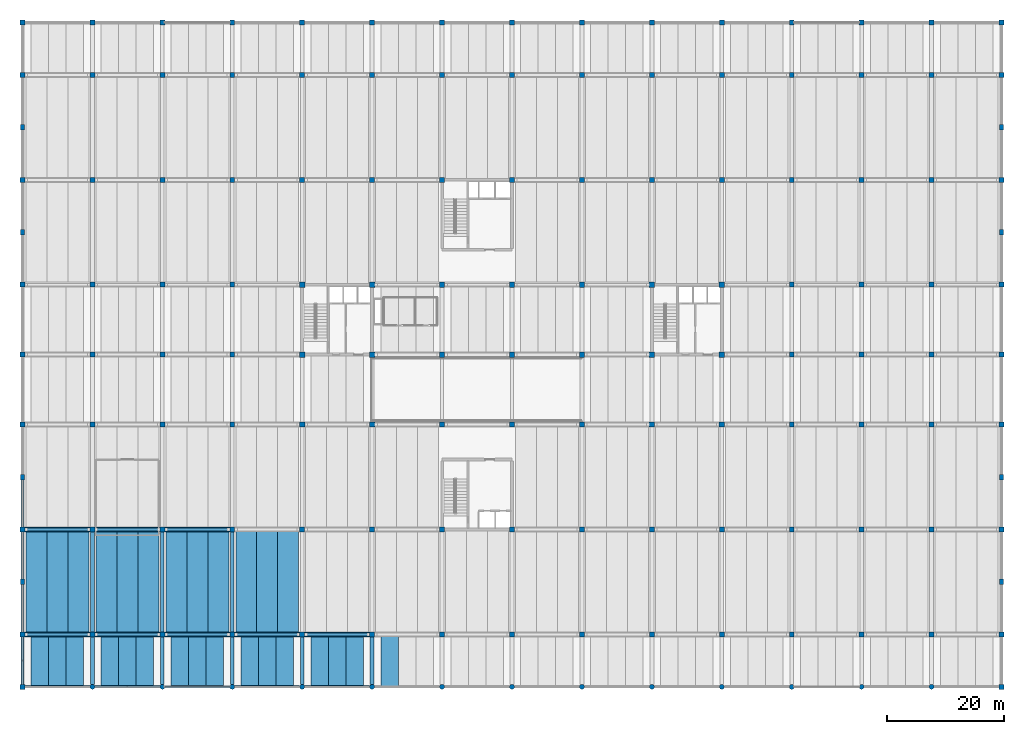
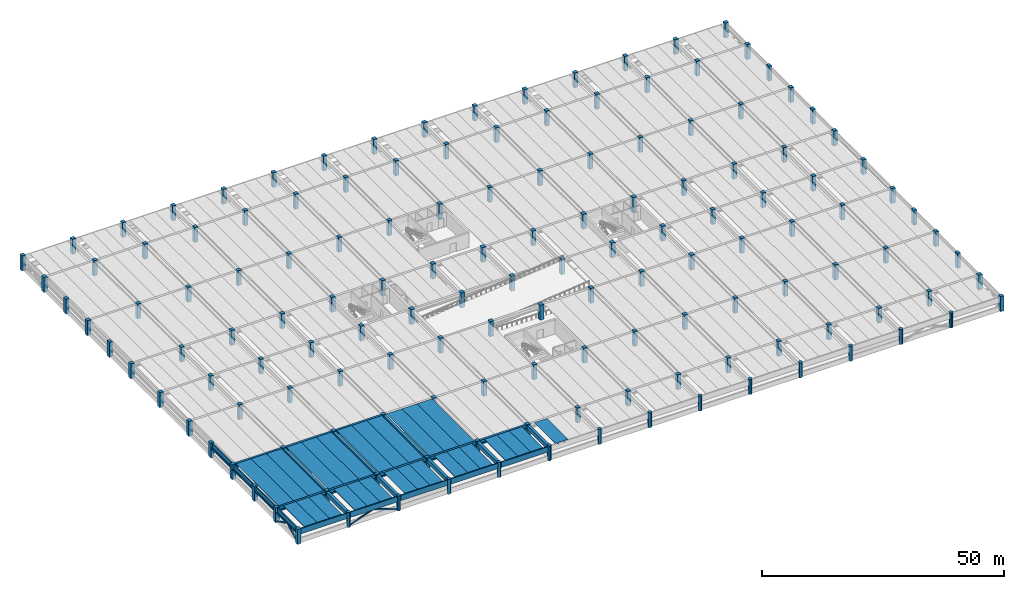
# One storey, part 1 of 19: 143 columns, 53 beams, 4 members.
"""IFC4 building model written with IfcOpenShell, lengths in metres."""

from ifc_helpers import new_model, si_unit, direction, frame, origin, origin_2d, place, context, subcontext, project, spatial, polyline, rectangle, hollow_rectangle, circle, outline, extrude, material, material_profile, profile_set, type_object, element, save


model = new_model("IFC4")

# Units and contexts
model_context = context("Model", 3, precision=1e-05, world=origin(), true_north=direction((0.0, 1.0)))
body_context = subcontext(model_context, "Body", "Model", "MODEL_VIEW")
ifc_project = project(units=[si_unit("LENGTHUNIT", "METRE"), si_unit("AREAUNIT", "SQUARE_METRE"), si_unit("VOLUMEUNIT", "CUBIC_METRE"), si_unit("PLANEANGLEUNIT", "RADIAN"), si_unit("MASSUNIT", "GRAM", prefix="KILO")], contexts=[model_context])

# Site, building, storey
site_placement = place(None, origin())
site = spatial("IfcSite", under=ifc_project, at=site_placement, CompositionType="ELEMENT")
building_placement = place(site_placement, origin())
building = spatial("IfcBuilding", under=site, at=building_placement, Name="Girod Span Mobility Hub", CompositionType="ELEMENT")
storey_placement = place(building_placement, frame((0.0, 0.0, 13.39990234375)))
storey = spatial("IfcBuildingStorey", under=building, at=storey_placement, Name="L03", CompositionType="ELEMENT", Elevation=13.39990234375)

# Columns
ifc_material_1 = material(Name="Concrete C40/50", Category="concrete")
ifc_material_profile_1 = material_profile(ifc_material_1, rectangle(XDim=0.85009765625, YDim=0.85009765625, at=origin_2d()), Name="PC-COL-850X850")
ifc_profile_set_1 = profile_set([ifc_material_profile_1], Name="Concrete C40/50")
column_type_1 = type_object("IfcColumnType", Name="COL-PC-850X850", PredefinedType="COLUMN", material=ifc_profile_set_1)
for number, where, z_axis, x_axis, name in (
    (1, (0.0, 0.0, 0.0), (0.0, 0.0, 1.0), (1.0, 0.0, 0.0), "Column 1A L03"),
    (2, (0.0, 9.0, 0.0), (0.0, 0.0, 1.0), (1.0, 0.0, 0.0), "Column 1B L03"),
    (3, (0.0, 27.0, 0.0), (0.0, 0.0, 1.0), (1.0, 0.0, 0.0), "Column 1C L03"),
    (4, (0.0, 45.0, 0.0), (0.0, 0.0, 1.0), (1.0, 0.0, 0.0), "Column 1D L03"),
    (5, (0.0, 57.0, 0.0), (0.0, 0.0, 1.0), (1.0, 0.0, 0.0), "Column 1E L03"),
    (6, (0.0, 69.0, 0.0), (0.0, 0.0, 1.0), (1.0, 0.0, 0.0), "Column 1F L03"),
    (7, (0.0, 87.0, 0.0), (0.0, 0.0, 1.0), (1.0, 0.0, 0.0), "Column 1G L03"),
    (8, (0.0, 105.0, 0.0), (0.0, 0.0, 1.0), (1.0, 0.0, 0.0), "Column 1H L03"),
    (9, (0.0, 114.0, 0.0), (0.0, 0.0, 1.0), (1.0, 0.0, 0.0), "Column 1J L03"),
    (10, (12.0, 9.0, 0.0), (0.0, 0.0, 1.0), (1.0, 0.0, 0.0), "Column 2B L03"),
    (11, (12.0, 27.0, 0.0), (0.0, 0.0, 1.0), (1.0, 0.0, 0.0), "Column 2C L03"),
    (12, (12.0, 45.0, 0.0), (0.0, 0.0, 1.0), (1.0, 0.0, 0.0), "Column 2D L03"),
    (13, (12.0, 57.0, 0.0), (0.0, 0.0, 1.0), (1.0, 0.0, 0.0), "Column 2E L03"),
    (14, (12.0, 69.0, 0.0), (0.0, 0.0, 1.0), (1.0, 0.0, 0.0), "Column 2F L03"),
    (15, (12.0, 87.0, 0.0), (0.0, 0.0, 1.0), (1.0, 0.0, 0.0), "Column 2G L03"),
    (16, (12.0, 105.0, 0.0), (0.0, 0.0, 1.0), (1.0, 0.0, 0.0), "Column 2H L03"),
    (17, (12.0, 114.0, 0.0), (0.0, 0.0, 1.0), (1.0, 0.0, 0.0), "Column 2J L03"),
    (18, (24.0, 9.0, 0.0), (0.0, 0.0, 1.0), (1.0, 0.0, 0.0), "Column 3B L03"),
    (19, (24.0, 27.0, 0.0), (0.0, 0.0, 1.0), (1.0, 0.0, 0.0), "Column 3C L03"),
    (20, (24.0, 45.0, 0.0), (0.0, 0.0, 1.0), (1.0, 0.0, 0.0), "Column 3D L03"),
    (21, (24.0, 57.0, 0.0), (0.0, 0.0, 1.0), (1.0, 0.0, 0.0), "Column 3E L03"),
    (22, (24.0, 69.0, 0.0), (0.0, 0.0, 1.0), (1.0, 0.0, 0.0), "Column 3F L03"),
    (23, (24.0, 87.0, 0.0), (0.0, 0.0, 1.0), (1.0, 0.0, 0.0), "Column 3G L03"),
    (24, (24.0, 105.0, 0.0), (0.0, 0.0, 1.0), (1.0, 0.0, 0.0), "Column 3H L03"),
    (25, (24.0, 114.0, 0.0), (0.0, 0.0, 1.0), (1.0, 0.0, 0.0), "Column 3J L03"),
    (26, (36.0, 9.0, 0.0), (0.0, 0.0, 1.0), (1.0, 0.0, 0.0), "Column 4B L03"),
    (27, (36.0, 27.0, 0.0), (0.0, 0.0, 1.0), (1.0, 0.0, 0.0), "Column 4C L03"),
    (28, (36.0, 45.0, 0.0), (0.0, 0.0, 1.0), (1.0, 0.0, 0.0), "Column 4D L03"),
    (29, (36.0, 57.0, 0.0), (0.0, 0.0, 1.0), (1.0, 0.0, 0.0), "Column 4E L03"),
    (30, (36.0, 69.0, 0.0), (0.0, 0.0, 1.0), (1.0, 0.0, 0.0), "Column 4F L03"),
    (31, (36.0, 87.0, 0.0), (0.0, 0.0, 1.0), (1.0, 0.0, 0.0), "Column 4G L03"),
    (32, (36.0, 105.0, 0.0), (0.0, 0.0, 1.0), (1.0, 0.0, 0.0), "Column 4H L03"),
    (33, (36.0, 114.0, 0.0), (0.0, 0.0, 1.0), (1.0, 0.0, 0.0), "Column 4J L03"),
    (34, (48.0, 9.0, 0.0), (0.0, 0.0, 1.0), (1.0, 0.0, 0.0), "Column 5B L03"),
    (35, (48.0, 27.0, 0.0), (0.0, 0.0, 1.0), (1.0, 0.0, 0.0), "Column 5C L03"),
    (36, (48.0, 87.0, 0.0), (0.0, 0.0, 1.0), (1.0, 0.0, 0.0), "Column 5G L03"),
    (37, (48.0, 105.0, 0.0), (0.0, 0.0, 1.0), (1.0, 0.0, 0.0), "Column 5H L03"),
    (38, (48.0, 114.0, 0.0), (0.0, 0.0, 1.0), (1.0, 0.0, 0.0), "Column 5J L03"),
    (39, (60.0, 9.0, 0.0), (0.0, 0.0, 1.0), (1.0, 0.0, 0.0), "Column 6B L03"),
    (40, (60.0, 27.0, 0.0), (0.0, 0.0, 1.0), (1.0, 0.0, 0.0), "Column 6C L03"),
    (41, (60.0, 87.0, 0.0), (0.0, 0.0, 1.0), (1.0, 0.0, 0.0), "Column 6G L03"),
    (42, (60.0, 105.0, 0.0), (0.0, 0.0, 1.0), (1.0, 0.0, 0.0), "Column 6H L03"),
    (43, (60.0, 114.0, 0.0), (0.0, 0.0, 1.0), (1.0, 0.0, 0.0), "Column 6J L03"),
    (44, (72.0, 9.0, 0.0), (0.0, 0.0, 1.0), (1.0, 0.0, 0.0), "Column 7B L03"),
    (45, (72.0, 27.0, 0.0), (0.0, 0.0, 1.0), (1.0, 0.0, 0.0), "Column 7C L03"),
    (46, (72.0, 87.0, 0.0), (0.0, 0.0, 1.0), (1.0, 0.0, 0.0), "Column 7G L03"),
    (47, (72.0, 105.0, 0.0), (0.0, 0.0, 1.0), (1.0, 0.0, 0.0), "Column 7H L03"),
    (48, (72.0, 114.0, 0.0), (0.0, 0.0, 1.0), (1.0, 0.0, 0.0), "Column 7J L03"),
    (49, (84.0, 9.0, 0.0), (0.0, 0.0, 1.0), (1.0, 0.0, 0.0), "Column 8B L03"),
    (50, (84.0, 27.0, 0.0), (0.0, 0.0, 1.0), (1.0, 0.0, 0.0), "Column 8C L03"),
    (51, (84.0, 87.0, 0.0), (0.0, 0.0, 1.0), (1.0, 0.0, 0.0), "Column 8G L03"),
    (52, (84.0, 105.0, 0.0), (0.0, 0.0, 1.0), (1.0, 0.0, 0.0), "Column 8H L03"),
    (53, (84.0, 114.0, 0.0), (0.0, 0.0, 1.0), (1.0, 0.0, 0.0), "Column 8J L03"),
    (54, (96.0, 9.0, 0.0), (0.0, 0.0, 1.0), (1.0, 0.0, 0.0), "Column 9B L03"),
    (55, (96.0, 27.0, 0.0), (0.0, 0.0, 1.0), (1.0, 0.0, 0.0), "Column 9C L03"),
    (56, (96.0, 87.0, 0.0), (0.0, 0.0, 1.0), (1.0, 0.0, 0.0), "Column 9G L03"),
    (57, (96.0, 105.0, 0.0), (0.0, 0.0, 1.0), (1.0, 0.0, 0.0), "Column 9H L03"),
    (58, (96.0, 114.0, 0.0), (0.0, 0.0, 1.0), (1.0, 0.0, 0.0), "Column 9J L03"),
    (59, (108.0, 9.0, 0.0), (0.0, 0.0, 1.0), (1.0, 0.0, 0.0), "Column 10B L03"),
    (60, (108.0, 27.0, 0.0), (0.0, 0.0, 1.0), (1.0, 0.0, 0.0), "Column 10C L03"),
    (61, (108.0, 87.0, 0.0), (0.0, 0.0, 1.0), (1.0, 0.0, 0.0), "Column 10G L03"),
    (62, (108.0, 105.0, 0.0), (0.0, 0.0, 1.0), (1.0, 0.0, 0.0), "Column 10H L03"),
    (63, (108.0, 114.0, 0.0), (0.0, 0.0, 1.0), (1.0, 0.0, 0.0), "Column 10J L03"),
    (64, (120.0, 9.0, 0.0), (0.0, 0.0, 1.0), (1.0, 0.0, 0.0), "Column 11B L03"),
    (65, (120.0, 27.0, 0.0), (0.0, 0.0, 1.0), (1.0, 0.0, 0.0), "Column 11C L03"),
    (66, (120.0, 87.0, 0.0), (0.0, 0.0, 1.0), (1.0, 0.0, 0.0), "Column 11G L03"),
    (67, (120.0, 105.0, 0.0), (0.0, 0.0, 1.0), (1.0, 0.0, 0.0), "Column 11H L03"),
    (68, (120.0, 114.0, 0.0), (0.0, 0.0, 1.0), (1.0, 0.0, 0.0), "Column 11J L03"),
    (69, (132.0, 9.0, 0.0), (0.0, 0.0, 1.0), (1.0, 0.0, 0.0), "Column 12B L03"),
    (70, (132.0, 27.0, 0.0), (0.0, 0.0, 1.0), (1.0, 0.0, 0.0), "Column 12C L03"),
    (71, (132.0, 45.0, 0.0), (0.0, 0.0, 1.0), (1.0, 0.0, 0.0), "Column 12D L03"),
    (72, (132.0, 57.0, 0.0), (0.0, 0.0, 1.0), (1.0, 0.0, 0.0), "Column 12E L03"),
    (73, (132.0, 69.0, 0.0), (0.0, 0.0, 1.0), (1.0, 0.0, 0.0), "Column 12F L03"),
    (74, (132.0, 87.0, 0.0), (0.0, 0.0, 1.0), (1.0, 0.0, 0.0), "Column 12G L03"),
    (75, (132.0, 105.0, 0.0), (0.0, 0.0, 1.0), (1.0, 0.0, 0.0), "Column 12H L03"),
    (76, (132.0, 114.0, 0.0), (0.0, 0.0, 1.0), (1.0, 0.0, 0.0), "Column 12J L03"),
    (77, (144.0, 9.0, 0.0), (0.0, 0.0, 1.0), (1.0, 0.0, 0.0), "Column 13B L03"),
    (78, (144.0, 27.0, 0.0), (0.0, 0.0, 1.0), (1.0, 0.0, 0.0), "Column 13C L03"),
    (79, (144.0, 45.0, 0.0), (0.0, 0.0, 1.0), (1.0, 0.0, 0.0), "Column 13D L03"),
    (80, (144.0, 57.0, 0.0), (0.0, 0.0, 1.0), (1.0, 0.0, 0.0), "Column 13E L03"),
    (81, (144.0, 69.0, 0.0), (0.0, 0.0, 1.0), (1.0, 0.0, 0.0), "Column 13F L03"),
    (82, (144.0, 87.0, 0.0), (0.0, 0.0, 1.0), (1.0, 0.0, 0.0), "Column 13G L03"),
    (83, (144.0, 105.0, 0.0), (0.0, 0.0, 1.0), (1.0, 0.0, 0.0), "Column 13H L03"),
    (84, (144.0, 114.0, 0.0), (0.0, 0.0, 1.0), (1.0, 0.0, 0.0), "Column 13J L03"),
    (85, (156.0, 9.0, 0.0), (0.0, 0.0, 1.0), (1.0, 0.0, 0.0), "Column 14B L03"),
    (86, (156.0, 27.0, 0.0), (0.0, 0.0, 1.0), (1.0, 0.0, 0.0), "Column 14C L03"),
    (87, (156.0, 45.0, 0.0), (0.0, 0.0, 1.0), (1.0, 0.0, 0.0), "Column 14D L03"),
    (88, (156.0, 57.0, 0.0), (0.0, 0.0, 1.0), (1.0, 0.0, 0.0), "Column 14E L03"),
    (89, (156.0, 69.0, 0.0), (0.0, 0.0, 1.0), (1.0, 0.0, 0.0), "Column 14F L03"),
    (90, (156.0, 87.0, 0.0), (0.0, 0.0, 1.0), (1.0, 0.0, 0.0), "Column 14G L03"),
    (91, (156.0, 105.0, 0.0), (0.0, 0.0, 1.0), (1.0, 0.0, 0.0), "Column 14H L03"),
    (92, (156.0, 114.0, 0.0), (0.0, 0.0, 1.0), (1.0, 0.0, 0.0), "Column 14J L03"),
    (93, (168.0, 0.0, 0.0), (0.0, 0.0, 1.0), (1.0, 0.0, 0.0), "Column 15A L03"),
    (94, (168.0, 9.0, 0.0), (0.0, 0.0, 1.0), (1.0, 0.0, 0.0), "Column 15B L03"),
    (95, (168.0, 27.0, 0.0), (0.0, 0.0, 1.0), (1.0, 0.0, 0.0), "Column 15C L03"),
    (96, (168.0, 45.0, 0.0), (0.0, 0.0, 1.0), (1.0, 0.0, 0.0), "Column 15D L03"),
    (97, (168.0, 57.0, 0.0), (0.0, 0.0, 1.0), (1.0, 0.0, 0.0), "Column 15E L03"),
    (98, (168.0, 69.0, 0.0), (0.0, 0.0, 1.0), (1.0, 0.0, 0.0), "Column 15F L03"),
    (99, (168.0, 87.0, 0.0), (0.0, 0.0, 1.0), (1.0, 0.0, 0.0), "Column 15G L03"),
    (100, (168.0, 105.0, 0.0), (0.0, 0.0, 1.0), (1.0, 0.0, 0.0), "Column 15H L03"),
    (101, (168.0, 114.0, 0.0), (0.0, 0.0, 1.0), (1.0, 0.0, 0.0), "Column 15J L03"),
):
    element("IfcColumn", number, at=place(storey_placement, frame(where, z_axis=z_axis, x_axis=x_axis)), inside=storey, type_object=column_type_1, Name=name, PredefinedType="COLUMN", context=body_context, shape_type="SweptSolid", body=[
        extrude(rectangle(XDim=0.85009765625, YDim=0.85009765625, at=origin_2d()), origin(), (0.0, 0.0, 1.0), 3.800048828125),
    ])
ifc_material_2 = material(Name="Concrete C40/50", Category="concrete")
ifc_material_profile_2 = material_profile(ifc_material_2, rectangle(XDim=0.89990234375, YDim=0.89990234375, at=origin_2d()), Name="PC-COL-900X900")
ifc_profile_set_2 = profile_set([ifc_material_profile_2], Name="Concrete C40/50")
column_type_2 = type_object("IfcColumnType", Name="COL-PC-900X900", PredefinedType="COLUMN", material=ifc_profile_set_2)
for number, where, z_axis, x_axis, name in (
    (102, (48.0, 45.0, 0.0), (0.0, 0.0, 1.0), (1.0, 0.0, 0.0), "Column 5D L03"),
    (103, (48.0, 57.0, 0.0), (0.0, 0.0, 1.0), (1.0, 0.0, 0.0), "Column 5E L03"),
    (104, (48.0, 69.0, 0.0), (0.0, 0.0, 1.0), (1.0, 0.0, 0.0), "Column 5F L03"),
    (105, (60.0, 45.0, 0.0), (0.0, 0.0, 1.0), (1.0, 0.0, 0.0), "Column 6D L03"),
    (106, (60.0, 57.0, 0.0), (0.0, 0.0, 1.0), (1.0, 0.0, 0.0), "Column 6E L03"),
    (107, (60.0, 69.0, 0.0), (0.0, 0.0, 1.0), (1.0, 0.0, 0.0), "Column 6F L03"),
    (108, (72.0, 45.0, 0.0), (0.0, 0.0, 1.0), (1.0, 0.0, 0.0), "Column 7D L03"),
    (109, (72.0, 57.0, 0.0), (0.0, 0.0, 1.0), (1.0, 0.0, 0.0), "Column 7E L03"),
    (110, (72.0, 69.0, 0.0), (0.0, 0.0, 1.0), (1.0, 0.0, 0.0), "Column 7F L03"),
    (111, (84.0, 45.0, 0.0), (0.0, 0.0, 1.0), (1.0, 0.0, 0.0), "Column 8D L03"),
    (112, (84.0, 57.0, 0.0), (0.0, 0.0, 1.0), (1.0, 0.0, 0.0), "Column 8E L03"),
    (113, (84.0, 69.0, 0.0), (0.0, 0.0, 1.0), (1.0, 0.0, 0.0), "Column 8F L03"),
    (114, (96.0, 45.0, 0.0), (0.0, 0.0, 1.0), (1.0, 0.0, 0.0), "Column 9D L03"),
    (115, (96.0, 57.0, 0.0), (0.0, 0.0, 1.0), (1.0, 0.0, 0.0), "Column 9E L03"),
    (116, (96.0, 69.0, 0.0), (0.0, 0.0, 1.0), (1.0, 0.0, 0.0), "Column 9F L03"),
    (117, (108.0, 45.0, 0.0), (0.0, 0.0, 1.0), (1.0, 0.0, 0.0), "Column 10D L03"),
    (118, (108.0, 57.0, 0.0), (0.0, 0.0, 1.0), (1.0, 0.0, 0.0), "Column 10E L03"),
    (119, (108.0, 69.0, 0.0), (0.0, 0.0, 1.0), (1.0, 0.0, 0.0), "Column 10F L03"),
    (120, (120.0, 45.0, 0.0), (0.0, 0.0, 1.0), (1.0, 0.0, 0.0), "Column 11D L03"),
    (121, (120.0, 57.0, 0.0), (0.0, 0.0, 1.0), (1.0, 0.0, 0.0), "Column 11E L03"),
    (122, (120.0, 69.0, 0.0), (0.0, 0.0, 1.0), (1.0, 0.0, 0.0), "Column 11F L03"),
):
    element("IfcColumn", number, at=place(storey_placement, frame(where, z_axis=z_axis, x_axis=x_axis)), inside=storey, type_object=column_type_2, Name=name, PredefinedType="COLUMN", context=body_context, shape_type="SweptSolid", body=[
        extrude(rectangle(XDim=0.89990234375, YDim=0.89990234375, at=origin_2d()), origin(), (0.0, 0.0, 1.0), 3.800048828125),
    ])
ifc_material_3 = material(Name="Concrete C40/50", Category="concrete")
ifc_material_profile_3 = material_profile(ifc_material_3, circle(Radius=0.425048828125, at=origin_2d()), Name="PC-CIR-D850")
ifc_profile_set_3 = profile_set([ifc_material_profile_3], Name="Concrete C40/50")
column_type_3 = type_object("IfcColumnType", Name="COL-PC-D850", PredefinedType="COLUMN", material=ifc_profile_set_3)
for number, where, z_axis, x_axis, name in (
    (123, (12.0, 0.0, 0.0), (0.0, 0.0, 1.0), (1.0, 0.0, 0.0), "Column 2A L03"),
    (124, (24.0, 0.0, 0.0), (0.0, 0.0, 1.0), (1.0, 0.0, 0.0), "Column 3A L03"),
    (125, (36.0, 0.0, 0.0), (0.0, 0.0, 1.0), (1.0, 0.0, 0.0), "Column 4A L03"),
    (126, (48.0, 0.0, 0.0), (0.0, 0.0, 1.0), (1.0, 0.0, 0.0), "Column 5A L03"),
    (127, (60.0, 0.0, 0.0), (0.0, 0.0, 1.0), (1.0, 0.0, 0.0), "Column 6A L03"),
    (128, (72.0, 0.0, 0.0), (0.0, 0.0, 1.0), (1.0, 0.0, 0.0), "Column 7A L03"),
    (129, (84.0, 0.0, 0.0), (0.0, 0.0, 1.0), (1.0, 0.0, 0.0), "Column 8A L03"),
    (130, (96.0, 0.0, 0.0), (0.0, 0.0, 1.0), (1.0, 0.0, 0.0), "Column 9A L03"),
    (131, (108.0, 0.0, 0.0), (0.0, 0.0, 1.0), (1.0, 0.0, 0.0), "Column 10A L03"),
    (132, (120.0, 0.0, 0.0), (0.0, 0.0, 1.0), (1.0, 0.0, 0.0), "Column 11A L03"),
    (133, (132.0, 0.0, 0.0), (0.0, 0.0, 1.0), (1.0, 0.0, 0.0), "Column 12A L03"),
    (134, (144.0, 0.0, 0.0), (0.0, 0.0, 1.0), (1.0, 0.0, 0.0), "Column 13A L03"),
    (135, (156.0, 0.0, 0.0), (0.0, 0.0, 1.0), (1.0, 0.0, 0.0), "Column 14A L03"),
):
    element("IfcColumn", number, at=place(storey_placement, frame(where, z_axis=z_axis, x_axis=x_axis)), inside=storey, type_object=column_type_3, Name=name, PredefinedType="COLUMN", context=body_context, shape_type="SweptSolid", body=[
        extrude(circle(Radius=0.425048828125, at=origin_2d()), origin(), (0.0, 0.0, 1.0), 3.800048828125),
    ])
ifc_material_4 = material(Name="Concrete C40/50", Category="concrete")
ifc_material_profile_4 = material_profile(ifc_material_4, rectangle(XDim=0.699951171875, YDim=0.949951171875, at=origin_2d()), Name="PC-PIL-700X950")
ifc_profile_set_4 = profile_set([ifc_material_profile_4], Name="Concrete C40/50")
column_type_4 = type_object("IfcColumnType", Name="PIL-PC-700X950", PredefinedType="PILASTER", material=ifc_profile_set_4)
for number, where, z_axis, x_axis, name in (
    (136, (0.0, 18.0, 0.0), (0.0, 0.0, 1.0), (1.0, 0.0, 0.0), "Precast Pilaster PIL-W-18 L03"),
    (137, (0.0, 36.0, 0.0), (0.0, 0.0, 1.0), (1.0, 0.0, 0.0), "Precast Pilaster PIL-W-36 L03"),
    (138, (0.0, 78.0, 0.0), (0.0, 0.0, 1.0), (1.0, 0.0, 0.0), "Precast Pilaster PIL-W-78 L03"),
    (139, (0.0, 96.0, 0.0), (0.0, 0.0, 1.0), (1.0, 0.0, 0.0), "Precast Pilaster PIL-W-96 L03"),
    (140, (168.0, 18.0, 0.0), (0.0, 0.0, 1.0), (1.0, 0.0, 0.0), "Precast Pilaster PIL-E-18 L03"),
    (141, (168.0, 36.0, 0.0), (0.0, 0.0, 1.0), (1.0, 0.0, 0.0), "Precast Pilaster PIL-E-36 L03"),
    (142, (168.0, 78.0, 0.0), (0.0, 0.0, 1.0), (1.0, 0.0, 0.0), "Precast Pilaster PIL-E-78 L03"),
    (143, (168.0, 96.0, 0.0), (0.0, 0.0, 1.0), (1.0, 0.0, 0.0), "Precast Pilaster PIL-E-96 L03"),
):
    element("IfcColumn", number, at=place(storey_placement, frame(where, z_axis=z_axis, x_axis=x_axis)), inside=storey, type_object=column_type_4, Name=name, PredefinedType="PILASTER", context=body_context, shape_type="SweptSolid", body=[
        extrude(rectangle(XDim=0.699951171875, YDim=0.949951171875, at=origin_2d()), origin(), (0.0, 0.0, 1.0), 3.800048828125),
    ])

# Beams
ifc_material_5 = material(Name="Concrete C50/60", Category="concrete")
ifc_material_profile_5 = material_profile(ifc_material_5, outline(polyline([(-1.5, 0.35009765625), (-1.5, 0.2548828125), (-0.840087890625, 0.2548828125), (-0.81494140625, -0.35009765625), (-0.68505859375, -0.35009765625), (-0.659912109375, 0.2548828125), (0.659912109375, 0.2548828125), (0.68505859375, -0.35009765625), (0.81494140625, -0.35009765625), (0.840087890625, 0.2548828125), (1.5, 0.2548828125), (1.5, 0.35009765625), (-1.5, 0.35009765625)])), Name="DT-3000X700")
ifc_profile_set_5 = profile_set([ifc_material_profile_5], Name="Concrete C50/60")
beam_type_1 = type_object("IfcBeamType", Name="BM-DT-3000X700", PredefinedType="JOIST", material=ifc_profile_set_5)
for number, where, z_axis, x_axis, name in (
    (144, (3.0, 0.02197265625, 3.26513671875), (0.0, 1.0, 0.0), (-1.0, 0.0, 0.0), "Double-Tee Deck 1/A-1 L03"),
    (145, (6.0, 0.02197265625, 3.26513671875), (0.0, 1.0, 0.0), (-1.0, 0.0, 0.0), "Double-Tee Deck 1/A-2 L03"),
    (146, (9.0, 0.02197265625, 3.26513671875), (0.0, 1.0, 0.0), (-1.0, 0.0, 0.0), "Double-Tee Deck 1/A-3 L03"),
    (147, (15.0, 0.02197265625, 3.26513671875), (0.0, 1.0, 0.0), (-1.0, 0.0, 0.0), "Double-Tee Deck 2/A-1 L03"),
    (148, (18.0, 0.02197265625, 3.26513671875), (0.0, 1.0, 0.0), (-1.0, 0.0, 0.0), "Double-Tee Deck 2/A-2 L03"),
    (149, (21.0, 0.02197265625, 3.26513671875), (0.0, 1.0, 0.0), (-1.0, 0.0, 0.0), "Double-Tee Deck 2/A-3 L03"),
    (150, (27.0, 0.02197265625, 3.26513671875), (0.0, 1.0, 0.0), (-1.0, 0.0, 0.0), "Double-Tee Deck 3/A-1 L03"),
    (151, (30.0, 0.02197265625, 3.26513671875), (0.0, 1.0, 0.0), (-1.0, 0.0, 0.0), "Double-Tee Deck 3/A-2 L03"),
    (152, (33.0, 0.02197265625, 3.26513671875), (0.0, 1.0, 0.0), (-1.0, 0.0, 0.0), "Double-Tee Deck 3/A-3 L03"),
    (153, (39.0, 0.02197265625, 3.26513671875), (0.0, 1.0, 0.0), (-1.0, 0.0, 0.0), "Double-Tee Deck 4/A-1 L03"),
    (154, (42.0, 0.02197265625, 3.26513671875), (0.0, 1.0, 0.0), (-1.0, 0.0, 0.0), "Double-Tee Deck 4/A-2 L03"),
    (155, (45.0, 0.02197265625, 3.26513671875), (0.0, 1.0, 0.0), (-1.0, 0.0, 0.0), "Double-Tee Deck 4/A-3 L03"),
    (156, (51.0, 0.02197265625, 3.26513671875), (0.0, 1.0, 0.0), (-1.0, 0.0, 0.0), "Double-Tee Deck 5/A-1 L03"),
    (157, (54.0, 0.02197265625, 3.26513671875), (0.0, 1.0, 0.0), (-1.0, 0.0, 0.0), "Double-Tee Deck 5/A-2 L03"),
    (158, (57.0, 0.02197265625, 3.26513671875), (0.0, 1.0, 0.0), (-1.0, 0.0, 0.0), "Double-Tee Deck 5/A-3 L03"),
    (159, (63.0, 0.02197265625, 3.26513671875), (0.0, 1.0, 0.0), (-1.0, 0.0, 0.0), "Double-Tee Deck 6/A-1 L03"),
):
    element("IfcBeam", number, at=place(storey_placement, frame(where, z_axis=z_axis, x_axis=x_axis)), inside=storey, type_object=beam_type_1, Name=name, PredefinedType="JOIST", context=body_context, shape_type="SweptSolid", body=[
        extrude(outline(polyline([(-1.5, 0.35009765625), (-1.5, 0.2548828125), (-0.840087890625, 0.2548828125), (-0.81494140625, -0.35009765625), (-0.68505859375, -0.35009765625), (-0.659912109375, 0.2548828125), (0.659912109375, 0.2548828125), (0.68505859375, -0.35009765625), (0.81494140625, -0.35009765625), (0.840087890625, 0.2548828125), (1.5, 0.2548828125), (1.5, 0.35009765625), (-1.5, 0.35009765625)])), origin(), (0.0, 0.0, 1.0), 8.73095703125),
    ])
ifc_material_6 = material(Name="Concrete C50/60", Category="concrete")
ifc_material_profile_6 = material_profile(ifc_material_6, outline(polyline([(-1.800048828125, 0.425048828125), (-1.800048828125, 0.324951171875), (-1.0, 0.324951171875), (-0.969970703125, -0.425048828125), (-0.830078125, -0.425048828125), (-0.800048828125, 0.324951171875), (0.800048828125, 0.324951171875), (0.830078125, -0.425048828125), (0.969970703125, -0.425048828125), (1.0, 0.324951171875), (1.800048828125, 0.324951171875), (1.800048828125, 0.425048828125), (-1.800048828125, 0.425048828125)])), Name="DT-3600X850")
ifc_profile_set_6 = profile_set([ifc_material_profile_6], Name="Concrete C50/60")
beam_type_2 = type_object("IfcBeamType", Name="BM-DT-3600X850", PredefinedType="JOIST", material=ifc_profile_set_6)
for number, where, z_axis, x_axis, name in (
    (160, (2.39990234375, 9.2470703125, 3.190185546875), (0.0, 1.0, 0.0), (-1.0, 0.0, 0.0), "Double-Tee Deck 1/B-1 L03"),
    (161, (6.0, 9.2470703125, 3.190185546875), (0.0, 1.0, 0.0), (-1.0, 0.0, 0.0), "Double-Tee Deck 1/B-2 L03"),
    (162, (9.60009765625, 9.2470703125, 3.190185546875), (0.0, 1.0, 0.0), (-1.0, 0.0, 0.0), "Double-Tee Deck 1/B-3 L03"),
    (163, (14.39990234375, 9.2470703125, 3.190185546875), (0.0, 1.0, 0.0), (-1.0, 0.0, 0.0), "Double-Tee Deck 2/B-1 L03"),
    (164, (18.0, 9.2470703125, 3.190185546875), (0.0, 1.0, 0.0), (-1.0, 0.0, 0.0), "Double-Tee Deck 2/B-2 L03"),
    (165, (21.60009765625, 9.2470703125, 3.190185546875), (0.0, 1.0, 0.0), (-1.0, 0.0, 0.0), "Double-Tee Deck 2/B-3 L03"),
    (166, (26.39990234375, 9.2470703125, 3.190185546875), (0.0, 1.0, 0.0), (-1.0, 0.0, 0.0), "Double-Tee Deck 3/B-1 L03"),
    (167, (30.0, 9.2470703125, 3.190185546875), (0.0, 1.0, 0.0), (-1.0, 0.0, 0.0), "Double-Tee Deck 3/B-2 L03"),
    (168, (33.60009765625, 9.2470703125, 3.190185546875), (0.0, 1.0, 0.0), (-1.0, 0.0, 0.0), "Double-Tee Deck 3/B-3 L03"),
    (169, (38.39990234375, 9.2470703125, 3.190185546875), (0.0, 1.0, 0.0), (-1.0, 0.0, 0.0), "Double-Tee Deck 4/B-1 L03"),
    (170, (42.0, 9.2470703125, 3.190185546875), (0.0, 1.0, 0.0), (-1.0, 0.0, 0.0), "Double-Tee Deck 4/B-2 L03"),
    (171, (45.60009765625, 9.2470703125, 3.190185546875), (0.0, 1.0, 0.0), (-1.0, 0.0, 0.0), "Double-Tee Deck 4/B-3 L03"),
):
    element("IfcBeam", number, at=place(storey_placement, frame(where, z_axis=z_axis, x_axis=x_axis)), inside=storey, type_object=beam_type_2, Name=name, PredefinedType="JOIST", context=body_context, shape_type="SweptSolid", body=[
        extrude(outline(polyline([(-1.800048828125, 0.425048828125), (-1.800048828125, 0.324951171875), (-1.0, 0.324951171875), (-0.969970703125, -0.425048828125), (-0.830078125, -0.425048828125), (-0.800048828125, 0.324951171875), (0.800048828125, 0.324951171875), (0.830078125, -0.425048828125), (0.969970703125, -0.425048828125), (1.0, 0.324951171875), (1.800048828125, 0.324951171875), (1.800048828125, 0.425048828125), (-1.800048828125, 0.425048828125)])), origin(), (0.0, 0.0, 1.0), 17.505859375),
    ])
ifc_material_7 = material(Name="Concrete C50/60", Category="concrete")
ifc_material_profile_7 = material_profile(ifc_material_7, outline(polyline([(-0.425048828125, -0.47509765625), (0.425048828125, -0.47509765625), (0.425048828125, -0.155029296875), (0.25, -0.155029296875), (0.25, 0.47509765625), (-0.25, 0.47509765625), (-0.25, -0.155029296875), (-0.425048828125, -0.155029296875), (-0.425048828125, -0.47509765625)])), Name="IT-850X950")
ifc_profile_set_7 = profile_set([ifc_material_profile_7], Name="Concrete C50/60")
beam_type_3 = type_object("IfcBeamType", Name="BM-IT-850X950", PredefinedType="T_BEAM", material=ifc_profile_set_7)
for number, where, z_axis, x_axis, name in (
    (172, (0.422119140625, 9.0, 3.14013671875), (1.0, 0.0, 0.0), (0.0, 1.0, 0.0), "Girder 1-2/B L03"),
    (173, (12.422119140625, 9.0, 3.14013671875), (1.0, 0.0, 0.0), (0.0, 1.0, 0.0), "Girder 2-3/B L03"),
    (174, (24.422119140625, 9.0, 3.14013671875), (1.0, 0.0, 0.0), (0.0, 1.0, 0.0), "Girder 3-4/B L03"),
    (175, (36.422119140625, 9.0, 3.14013671875), (1.0, 0.0, 0.0), (0.0, 1.0, 0.0), "Girder 4-5/B L03"),
    (176, (48.422119140625, 9.0, 3.14013671875), (1.0, 0.0, 0.0), (0.0, 1.0, 0.0), "Girder 5-6/B L03"),
    (177, (0.422119140625, 27.0, 3.14013671875), (1.0, 0.0, 0.0), (0.0, 1.0, 0.0), "Girder 1-2/C L03"),
    (178, (12.422119140625, 27.0, 3.14013671875), (1.0, 0.0, 0.0), (0.0, 1.0, 0.0), "Girder 2-3/C L03"),
    (179, (24.422119140625, 27.0, 3.14013671875), (1.0, 0.0, 0.0), (0.0, 1.0, 0.0), "Girder 3-4/C L03"),
):
    element("IfcBeam", number, at=place(storey_placement, frame(where, z_axis=z_axis, x_axis=x_axis)), inside=storey, type_object=beam_type_3, Name=name, PredefinedType="T_BEAM", context=body_context, shape_type="SweptSolid", body=[
        extrude(outline(polyline([(-0.425048828125, -0.47509765625), (0.425048828125, -0.47509765625), (0.425048828125, -0.155029296875), (0.25, -0.155029296875), (0.25, 0.47509765625), (-0.25, 0.47509765625), (-0.25, -0.155029296875), (-0.425048828125, -0.155029296875), (-0.425048828125, -0.47509765625)])), origin(), (0.0, 0.0, 1.0), 11.15576171875),
    ])
ifc_material_8 = material(Name="Concrete C40/50", Category="concrete")
ifc_material_profile_8 = material_profile(ifc_material_8, outline(polyline([(-0.22509765625, -0.675048828125), (0.22509765625, -0.675048828125), (0.22509765625, -0.324951171875), (0.02490234375, -0.324951171875), (0.02490234375, 0.675048828125), (-0.22509765625, 0.675048828125), (-0.22509765625, -0.675048828125)])), Name="SP-450X1350")
ifc_profile_set_8 = profile_set([ifc_material_profile_8], Name="Concrete C40/50")
beam_type_4 = type_object("IfcBeamType", Name="BM-SP-450X1350", PredefinedType="SPANDREL", material=ifc_profile_set_8)
for number, where, z_axis, x_axis, name in (
    (180, (0.422119140625, 0.0, 2.940185546875), (1.0, 0.0, 0.0), (0.0, 1.0, 0.0), "Girder 1-2/A L03"),
    (181, (12.422119140625, 0.0, 2.940185546875), (1.0, 0.0, 0.0), (0.0, 1.0, 0.0), "Girder 2-3/A L03"),
    (182, (24.422119140625, 0.0, 2.940185546875), (1.0, 0.0, 0.0), (0.0, 1.0, 0.0), "Girder 3-4/A L03"),
    (183, (36.422119140625, 0.0, 2.940185546875), (1.0, 0.0, 0.0), (0.0, 1.0, 0.0), "Girder 4-5/A L03"),
    (184, (48.422119140625, 0.0, 2.940185546875), (1.0, 0.0, 0.0), (0.0, 1.0, 0.0), "Girder 5-6/A L03"),
):
    element("IfcBeam", number, at=place(storey_placement, frame(where, z_axis=z_axis, x_axis=x_axis)), inside=storey, type_object=beam_type_4, Name=name, PredefinedType="SPANDREL", context=body_context, shape_type="SweptSolid", body=[
        extrude(outline(polyline([(-0.22509765625, -0.675048828125), (0.22509765625, -0.675048828125), (0.22509765625, -0.324951171875), (0.02490234375, -0.324951171875), (0.02490234375, 0.675048828125), (-0.22509765625, 0.675048828125), (-0.22509765625, -0.675048828125)])), origin(), (0.0, 0.0, 1.0), 11.15576171875),
    ])
beam_1_placement = place(storey_placement, frame((0.0, 0.422119140625, 2.940185546875), z_axis=(0.0, 1.0, 0.0), x_axis=(-1.0, 0.0, 0.0)))
element("IfcBeam", 185, at=beam_1_placement, inside=storey, type_object=beam_type_4, Name="Tie Girder 1/A-B L03", PredefinedType="SPANDREL", context=body_context, shape_type="SweptSolid", body=[
    extrude(outline(polyline([(-0.22509765625, -0.675048828125), (0.22509765625, -0.675048828125), (0.22509765625, -0.324951171875), (0.02490234375, -0.324951171875), (0.02490234375, 0.675048828125), (-0.22509765625, 0.675048828125), (-0.22509765625, -0.675048828125)])), origin(), (0.0, 0.0, 1.0), 8.15576171875),
])
for number, where, z_axis, x_axis, name in (
    (186, (0.0, 9.422119140625, 2.940185546875), (0.0, 1.0, 0.0), (-1.0, 0.0, 0.0), "Perimeter Spandrel 1/B-S L03"),
    (187, (0.0, 18.471923828125, 2.940185546875), (0.0, 1.0, 0.0), (-1.0, 0.0, 0.0), "Perimeter Spandrel 1/B-N L03"),
    (188, (0.0, 27.422119140625, 2.940185546875), (0.0, 1.0, 0.0), (-1.0, 0.0, 0.0), "Perimeter Spandrel 1/C-S L03"),
):
    element("IfcBeam", number, at=place(storey_placement, frame(where, z_axis=z_axis, x_axis=x_axis)), inside=storey, type_object=beam_type_4, Name=name, PredefinedType="SPANDREL", context=body_context, shape_type="SweptSolid", body=[
        extrude(outline(polyline([(-0.22509765625, -0.675048828125), (0.22509765625, -0.675048828125), (0.22509765625, -0.324951171875), (0.02490234375, -0.324951171875), (0.02490234375, 0.675048828125), (-0.22509765625, 0.675048828125), (-0.22509765625, -0.675048828125)])), origin(), (0.0, 0.0, 1.0), 8.10595703125),
    ])
ifc_material_9 = material(Name="Concrete C40/50", Category="concrete")
ifc_material_profile_9 = material_profile(ifc_material_9, rectangle(XDim=0.64990234375, YDim=1.0, at=origin_2d()), Name="TG-650X1000")
ifc_profile_set_9 = profile_set([ifc_material_profile_9], Name="Concrete C40/50")
beam_type_5 = type_object("IfcBeamType", Name="BM-TG-650X1000", PredefinedType="T_BEAM", material=ifc_profile_set_9)
beam_2_placement = place(storey_placement, frame((12.0, 0.422119140625, 3.114990234375), z_axis=(0.0, 1.0, 0.0), x_axis=(-1.0, 0.0, 0.0)))
element("IfcBeam", 189, at=beam_2_placement, inside=storey, type_object=beam_type_5, Name="Tie Girder 2/A-B L03", PredefinedType="T_BEAM", context=body_context, shape_type="SweptSolid", body=[
    extrude(rectangle(XDim=0.64990234375, YDim=1.0, at=origin_2d()), origin(), (0.0, 0.0, 1.0), 8.15576171875),
])
beam_3_placement = place(storey_placement, frame((12.0, 9.422119140625, 3.114990234375), z_axis=(0.0, 1.0, 0.0), x_axis=(-1.0, 0.0, 0.0)))
element("IfcBeam", 190, at=beam_3_placement, inside=storey, type_object=beam_type_5, Name="Tie Girder 2/B-C L03", PredefinedType="T_BEAM", context=body_context, shape_type="SweptSolid", body=[
    extrude(rectangle(XDim=0.64990234375, YDim=1.0, at=origin_2d()), origin(), (0.0, 0.0, 1.0), 17.15576171875),
])
beam_4_placement = place(storey_placement, frame((24.0, 0.422119140625, 3.114990234375), z_axis=(0.0, 1.0, 0.0), x_axis=(-1.0, 0.0, 0.0)))
element("IfcBeam", 191, at=beam_4_placement, inside=storey, type_object=beam_type_5, Name="Tie Girder 3/A-B L03", PredefinedType="T_BEAM", context=body_context, shape_type="SweptSolid", body=[
    extrude(rectangle(XDim=0.64990234375, YDim=1.0, at=origin_2d()), origin(), (0.0, 0.0, 1.0), 8.15576171875),
])
beam_5_placement = place(storey_placement, frame((24.0, 9.422119140625, 3.114990234375), z_axis=(0.0, 1.0, 0.0), x_axis=(-1.0, 0.0, 0.0)))
element("IfcBeam", 192, at=beam_5_placement, inside=storey, type_object=beam_type_5, Name="Tie Girder 3/B-C L03", PredefinedType="T_BEAM", context=body_context, shape_type="SweptSolid", body=[
    extrude(rectangle(XDim=0.64990234375, YDim=1.0, at=origin_2d()), origin(), (0.0, 0.0, 1.0), 17.15576171875),
])
beam_6_placement = place(storey_placement, frame((36.0, 0.422119140625, 3.114990234375), z_axis=(0.0, 1.0, 0.0), x_axis=(-1.0, 0.0, 0.0)))
element("IfcBeam", 193, at=beam_6_placement, inside=storey, type_object=beam_type_5, Name="Tie Girder 4/A-B L03", PredefinedType="T_BEAM", context=body_context, shape_type="SweptSolid", body=[
    extrude(rectangle(XDim=0.64990234375, YDim=1.0, at=origin_2d()), origin(), (0.0, 0.0, 1.0), 8.15576171875),
])
beam_7_placement = place(storey_placement, frame((36.0, 9.422119140625, 3.114990234375), z_axis=(0.0, 1.0, 0.0), x_axis=(-1.0, 0.0, 0.0)))
element("IfcBeam", 194, at=beam_7_placement, inside=storey, type_object=beam_type_5, Name="Tie Girder 4/B-C L03", PredefinedType="T_BEAM", context=body_context, shape_type="SweptSolid", body=[
    extrude(rectangle(XDim=0.64990234375, YDim=1.0, at=origin_2d()), origin(), (0.0, 0.0, 1.0), 17.15576171875),
])
for number, where, z_axis, x_axis, name in (
    (195, (48.0, 0.422119140625, 3.114990234375), (0.0, 1.0, 0.0), (-1.0, 0.0, 0.0), "Tie Girder 5/A-B L03"),
    (196, (60.0, 0.422119140625, 3.114990234375), (0.0, 1.0, 0.0), (-1.0, 0.0, 0.0), "Tie Girder 6/A-B L03"),
):
    element("IfcBeam", number, at=place(storey_placement, frame(where, z_axis=z_axis, x_axis=x_axis)), inside=storey, type_object=beam_type_5, Name=name, PredefinedType="T_BEAM", context=body_context, shape_type="SweptSolid", body=[
        extrude(rectangle(XDim=0.64990234375, YDim=1.0, at=origin_2d()), origin(), (0.0, 0.0, 1.0), 8.15576171875),
    ])

# Members
ifc_material_10 = material(Name="Steel HSS A500 Grade C", Category="steel")
ifc_material_profile_10 = material_profile(ifc_material_10, hollow_rectangle(XDim=0.304931640625, YDim=0.304931640625, WallThickness=0.014892578125, InnerFilletRadius=0.014892578125, OuterFilletRadius=0.029541015625, at=origin_2d()), Name="HSS305X305X16")
ifc_profile_set_10 = profile_set([ifc_material_profile_10], Name="Steel HSS A500 Grade C")
member_type = type_object("IfcMemberType", Name="MB-BR-HSS305", PredefinedType="BRACE", material=ifc_profile_set_10)
for number, where, z_axis, x_axis, name in (
    (197, (12.405029296875, 0.0, 0.35009765625), (0.941906387898, 0.0, 0.335875507348), (0.0, 1.0, 0.0), "Perimeter Chevron Brace 2/A-L L03"),
    (198, (23.594970703125, 0.0, 0.35009765625), (-0.941906387898, 0.0, 0.335875507348), (0.0, -1.0, 0.0), "Perimeter Chevron Brace 2/A-R L03"),
):
    element("IfcMember", number, at=place(storey_placement, frame(where, z_axis=z_axis, x_axis=x_axis)), inside=storey, type_object=member_type, Name=name, PredefinedType="BRACE", context=body_context, shape_type="SweptSolid", body=[
        extrude(hollow_rectangle(XDim=0.304931640625, YDim=0.304931640625, WallThickness=0.014892578125, InnerFilletRadius=0.014892578125, OuterFilletRadius=0.029541015625, at=origin_2d()), origin(), (0.0, 0.0, 1.0), 5.93994140625),
    ])
for number, where, z_axis, x_axis, name in (
    (199, (0.0, 0.405029296875, 0.35009765625), (0.0, 0.898978505565, 0.437992747122), (-1.0, 0.0, 0.0), "Side Chevron Brace 1/A-S L03"),
    (200, (0.0, 8.594970703125, 0.35009765625), (0.0, -0.898978505565, 0.437992747122), (1.0, 0.0, 0.0), "Side Chevron Brace 1/A-N L03"),
):
    element("IfcMember", number, at=place(storey_placement, frame(where, z_axis=z_axis, x_axis=x_axis)), inside=storey, type_object=member_type, Name=name, PredefinedType="BRACE", context=body_context, shape_type="SweptSolid", body=[
        extrude(hollow_rectangle(XDim=0.304931640625, YDim=0.304931640625, WallThickness=0.014892578125, InnerFilletRadius=0.014892578125, OuterFilletRadius=0.029541015625, at=origin_2d()), origin(), (0.0, 0.0, 1.0), 4.55517578125),
    ])

save(model, "model.ifc")
